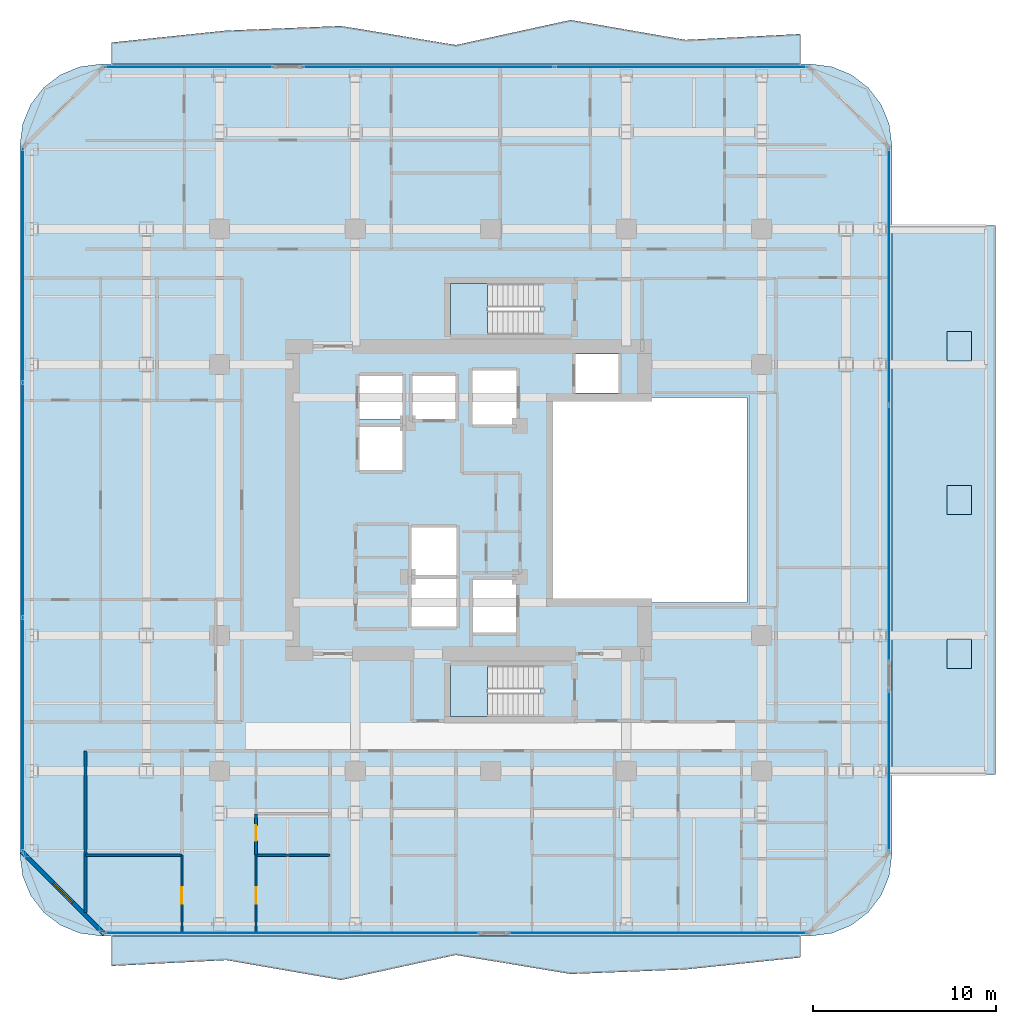
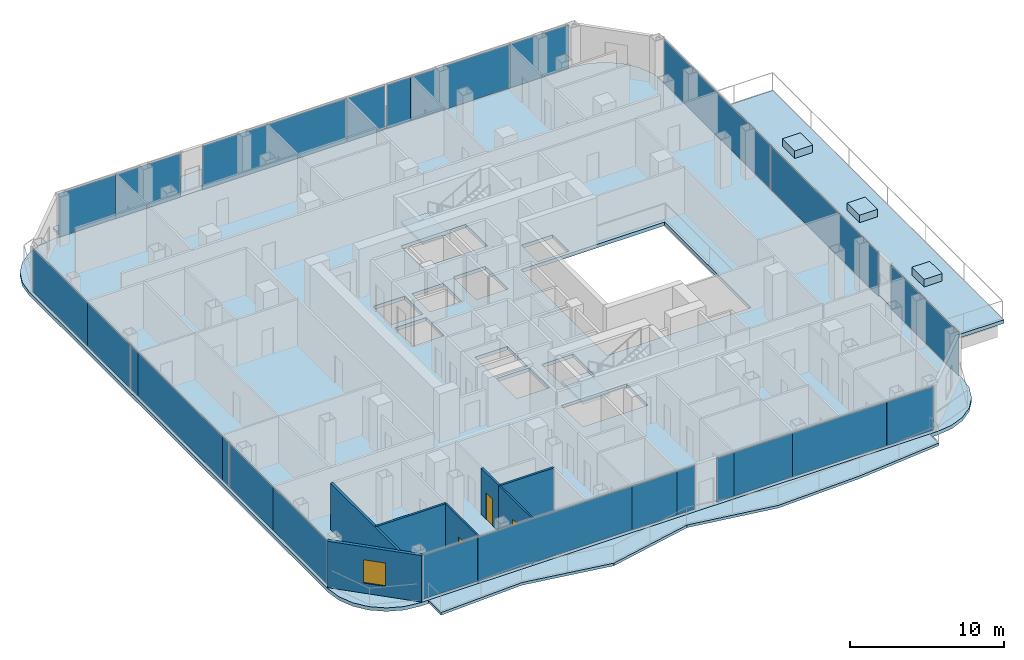
# One storey, part 18 of 27: 25 plates, 9 slabs, 7 walls, 3 doors, 1 window, 4 openings, 9 elements without a shape of their own.
"""IFC4 building model written with IfcOpenShell, lengths in metres."""

from ifc_helpers import new_model, si_unit, direction, frame, frame_2d, origin, origin_2d, place, context, subcontext, project, spatial, polyline, rectangle, outline, extrude, material, layer, layer_set, type_object, element, fill, aggregate, save


model = new_model("IFC4")

# Units and contexts
model_context = context("Model", 3, precision=1e-05, world=origin(), true_north=direction((0.0, 1.0)))
body_context = subcontext(model_context, "Body", "Model", "MODEL_VIEW")
ifc_project = project(units=[si_unit("LENGTHUNIT", "METRE"), si_unit("AREAUNIT", "SQUARE_METRE"), si_unit("VOLUMEUNIT", "CUBIC_METRE"), si_unit("PLANEANGLEUNIT", "RADIAN"), si_unit("MASSUNIT", "GRAM", prefix="KILO")], contexts=[model_context])

# Site, building, storey
site_placement = place(None, origin())
site = spatial("IfcSite", under=ifc_project, at=site_placement, CompositionType="ELEMENT")
building_placement = place(site_placement, origin())
building = spatial("IfcBuilding", under=site, at=building_placement, Name="Khorvyn Point Tower", CompositionType="ELEMENT")
storey_placement = place(building_placement, frame((0.0, 0.0, 168.0)))
storey = spatial("IfcBuildingStorey", under=building, at=storey_placement, Name="L41", CompositionType="ELEMENT", Elevation=168.0)

# Slabs
ifc_material_1 = material(Name="Concrete C35/45", Category="concrete")
ifc_layer_1 = layer(ifc_material_1, 0.239990234375)
ifc_layer_set_1 = layer_set([ifc_layer_1], Name="Concrete C35/45 Setback Terrace Roof Slab 240")
slab_type_1 = type_object("IfcSlabType", Name="Concrete C35/45 Setback Terrace Roof Slab 240", PredefinedType="ROOF", material=ifc_layer_set_1)
slab_1_placement = place(storey_placement, frame((0.0, 0.0, -0.280029296875)))
element("IfcSlab", 1, at=slab_1_placement, inside=storey, type_object=slab_type_1, Name="L41 East Jenga Setback Sky-Garden Terrace", PredefinedType="ROOF", context=body_context, shape_type="SweptSolid", body=[
    extrude(outline(polyline([(21.919921875, -15.0), (27.550048828125, -15.0), (27.550048828125, 15.0), (21.919921875, 15.0), (21.919921875, -15.0)])), origin(), (0.0, 0.0, 1.0), 0.280029296875),
])
ifc_layer_2 = layer(ifc_material_1, 0.60009765625)
ifc_layer_set_2 = layer_set([ifc_layer_2], Name="Concrete C35/45 Terrace Tree Planter 600")
slab_type_2 = type_object("IfcSlabType", Name="Concrete C35/45 Terrace Tree Planter 600", PredefinedType="USERDEFINED", material=ifc_layer_set_2)
slab_2_placement = place(storey_placement, origin())
element("IfcSlab", 2, at=slab_2_placement, inside=storey, type_object=slab_type_2, Name="L41 Sky-Terrace Structural Tree Planter 1", ObjectType="PLANTER", PredefinedType="USERDEFINED", context=body_context, shape_type="SweptSolid", body=[
    extrude(outline(polyline([(24.904541015625, -9.199951171875), (26.25439453125, -9.199951171875), (26.25439453125, -7.60009765625), (24.904541015625, -7.60009765625), (24.904541015625, -9.199951171875)])), origin(), (0.0, 0.0, 1.0), 0.60009765625),
])
slab_3_placement = place(storey_placement, origin())
element("IfcSlab", 3, at=slab_3_placement, inside=storey, type_object=slab_type_2, Name="L41 Sky-Terrace Structural Tree Planter 2", ObjectType="PLANTER", PredefinedType="USERDEFINED", context=body_context, shape_type="SweptSolid", body=[
    extrude(outline(polyline([(24.904541015625, -0.800048828125), (26.25439453125, -0.800048828125), (26.25439453125, 0.800048828125), (24.904541015625, 0.800048828125), (24.904541015625, -0.800048828125)])), origin(), (0.0, 0.0, 1.0), 0.60009765625),
])
slab_4_placement = place(storey_placement, origin())
element("IfcSlab", 4, at=slab_4_placement, inside=storey, type_object=slab_type_2, Name="L41 Sky-Terrace Structural Tree Planter 3", ObjectType="PLANTER", PredefinedType="USERDEFINED", context=body_context, shape_type="SweptSolid", body=[
    extrude(outline(polyline([(24.904541015625, 7.60009765625), (26.25439453125, 7.60009765625), (26.25439453125, 9.199951171875), (24.904541015625, 9.199951171875), (24.904541015625, 7.60009765625)])), origin(), (0.0, 0.0, 1.0), 0.60009765625),
])
ifc_material_2 = material(Name="Concrete C40/50", Category="concrete")
ifc_layer_3 = layer(ifc_material_2, 0.2099609375)
ifc_layer_set_3 = layer_set([ifc_layer_3], Name="Concrete C40/50 Rippling Balcony Slab 210")
slab_type_3 = type_object("IfcSlabType", Name="Concrete C40/50 Rippling Balcony Slab 210", PredefinedType="USERDEFINED", material=ifc_layer_set_3)
slab_5_placement = place(storey_placement, frame((0.0, 0.0, -0.2099609375)))
element("IfcSlab", 5, at=slab_5_placement, inside=storey, type_object=slab_type_3, Name="L41 North Sinusoidal Rippling Balcony", ObjectType="BALCONY", PredefinedType="USERDEFINED", context=body_context, shape_type="SweptSolid", body=[
    extrude(outline(polyline([(16.89990234375, 23.800048828125), (16.89990234375, 25.441650390625), (10.63330078125, 25.12255859375), (4.36669921875, 26.20703125), (-1.89990234375, 24.8408203125), (-8.166748046875, 25.8798828125), (-14.433349609375, 25.630859375), (-20.699951171875, 24.978759765625), (-20.699951171875, 23.800048828125), (16.89990234375, 23.800048828125)])), origin(), (0.0, 0.0, 1.0), 0.2099609375),
])
slab_6_placement = place(storey_placement, frame((0.0, 0.0, -0.2099609375)))
element("IfcSlab", 6, at=slab_6_placement, inside=storey, type_object=slab_type_3, Name="L41 South Sinusoidal Rippling Balcony", ObjectType="BALCONY", PredefinedType="USERDEFINED", context=body_context, shape_type="SweptSolid", body=[
    extrude(outline(polyline([(-20.699951171875, -23.800048828125), (-20.699951171875, -25.441650390625), (-14.433349609375, -25.12255859375), (-8.166748046875, -26.20703125), (-1.89990234375, -24.8408203125), (4.36669921875, -25.8798828125), (10.63330078125, -25.630859375), (16.89990234375, -24.978759765625), (16.89990234375, -23.800048828125), (-20.699951171875, -23.800048828125)])), origin(), (0.0, 0.0, 1.0), 0.2099609375),
])

# Stair, slab
stair_type = type_object("IfcStairType", Name="Tower Concrete C40/50 Dogleg Exit Stair", PredefinedType="HALF_TURN_STAIR", material=ifc_material_2)
stair_1_placement = place(storey_placement, origin())
stair_1 = element("IfcStair", 7, at=stair_1_placement, inside=storey, type_object=stair_type, Name="L41 Tower Smokeproof Exit Stair South", PredefinedType="HALF_TURN_STAIR")
ifc_layer_4 = layer(ifc_material_2, 0.199951171875)
ifc_layer_set_4 = layer_set([ifc_layer_4], Name="Concrete C40/50 Stair Landing Slab 200")
slab_type_4 = type_object("IfcSlabType", Name="Concrete C40/50 Stair Landing Slab 200", PredefinedType="LANDING", material=ifc_layer_set_4)
slab_7_placement = place(storey_placement, frame((0.0, 0.0, 1.75)))
slab_7 = element("IfcSlab", 8, at=slab_7_placement, type_object=slab_type_4, Name="ST-01 landing 1", PredefinedType="LANDING", context=body_context, shape_type="SweptSolid", body=[
    extrude(outline(polyline([(-0.179931640625, -9.02001953125), (-2.199951171875, -9.02001953125), (-2.199951171875, -11.820068359375), (-0.179931640625, -11.820068359375), (-0.179931640625, -9.02001953125)])), origin(), (0.0, 0.0, 1.0), 0.199951171875),
])
aggregate(stair_1, [slab_7])

stair_2_placement = place(storey_placement, origin())
stair_2 = element("IfcStair", 9, at=stair_2_placement, inside=storey, type_object=stair_type, Name="L41 Tower Smokeproof Exit Stair North", PredefinedType="HALF_TURN_STAIR")
slab_8_placement = place(storey_placement, frame((0.0, 0.0, 1.75)))
slab_8 = element("IfcSlab", 10, at=slab_8_placement, type_object=slab_type_4, Name="ST-02 landing 1", PredefinedType="LANDING", context=body_context, shape_type="SweptSolid", body=[
    extrude(outline(polyline([(-0.179931640625, 11.820068359375), (-2.199951171875, 11.820068359375), (-2.199951171875, 9.02001953125), (-0.179931640625, 9.02001953125), (-0.179931640625, 11.820068359375)])), origin(), (0.0, 0.0, 1.0), 0.199951171875),
])
aggregate(stair_2, [slab_8])

# Slab
ifc_layer_5 = layer(ifc_material_2, 0.280029296875)
ifc_layer_set_5 = layer_set([ifc_layer_5], Name="Concrete C40/50 Structural Floor Slab 280")
slab_type_5 = type_object("IfcSlabType", Name="Concrete C40/50 Structural Floor Slab 280", PredefinedType="FLOOR", material=ifc_layer_set_5)
slab_9_placement = place(storey_placement, frame((0.0, 0.0, -0.280029296875)))
element("IfcSlab", 11, at=slab_9_placement, inside=storey, type_object=slab_type_5, Name="L41 Main Structural Floor Slab", PredefinedType="FLOOR", context=body_context, shape_type="SweptSolid", body=[
    extrude(outline(polyline([(-21.300048828125, -23.800048828125), (-22.438720703125, -23.650146484375), (-23.5, -23.21044921875), (-24.411376953125, -22.51123046875), (-25.110595703125, -21.60009765625), (-25.550048828125, -20.538818359375), (-25.699951171875, -19.39990234375), (-25.699951171875, 19.39990234375), (-25.550048828125, 20.538818359375), (-25.110595703125, 21.60009765625), (-24.411376953125, 22.51123046875), (-23.5, 23.21044921875), (-22.438720703125, 23.650146484375), (-21.300048828125, 23.800048828125), (17.5, 23.800048828125), (18.638916015625, 23.650146484375), (19.699951171875, 23.21044921875), (20.611328125, 22.51123046875), (21.310546875, 21.60009765625), (21.75, 20.538818359375), (21.89990234375, 19.39990234375), (21.89990234375, -19.39990234375), (21.75, -20.538818359375), (21.310546875, -21.60009765625), (20.611328125, -22.51123046875), (19.699951171875, -23.21044921875), (18.638916015625, -23.650146484375), (17.5, -23.800048828125), (-21.300048828125, -23.800048828125)]), holes=[polyline([(-1.875, -6.89990234375), (-1.875, -4.300048828125), (-4.324951171875, -4.300048828125), (-4.324951171875, -6.89990234375), (-1.875, -6.89990234375)]), polyline([(-1.875, -4.10009765625), (-1.875, -1.5), (-4.324951171875, -1.5), (-4.324951171875, -4.10009765625), (-1.875, -4.10009765625)]), polyline([(-4.824951171875, 1.625), (-4.824951171875, 3.97509765625), (-7.175048828125, 3.97509765625), (-7.175048828125, 1.625), (-4.824951171875, 1.625)]), polyline([(-7.175048828125, 4.425048828125), (-4.824951171875, 4.425048828125), (-4.824951171875, 6.77490234375), (-7.175048828125, 6.77490234375), (-7.175048828125, 4.425048828125)]), polyline([(-4.27490234375, 4.425048828125), (-1.925048828125, 4.425048828125), (-1.925048828125, 6.77490234375), (-4.27490234375, 6.77490234375), (-4.27490234375, 4.425048828125)]), polyline([(1.39990234375, 4.125), (1.39990234375, 7.074951171875), (-1.0, 7.074951171875), (-1.0, 4.125), (1.39990234375, 4.125)]), polyline([(-2.199951171875, -11.820068359375), (2.679931640625, -11.820068359375), (2.679931640625, -9.02001953125), (-2.199951171875, -9.02001953125), (-2.199951171875, -11.820068359375)]), polyline([(-0.97509765625, -7.22509765625), (1.375, -7.22509765625), (1.375, -4.375), (-0.97509765625, -4.375), (-0.97509765625, -7.22509765625)]), polyline([(14.0, -5.60009765625), (14.0, 5.60009765625), (3.199951171875, 5.60009765625), (3.199951171875, -5.60009765625), (14.0, -5.60009765625)]), polyline([(4.625, 5.85009765625), (6.97509765625, 5.85009765625), (6.97509765625, 7.97998046875), (4.625, 7.97998046875), (4.625, 5.85009765625)]), polyline([(-2.199951171875, 9.02001953125), (2.679931640625, 9.02001953125), (2.679931640625, 11.820068359375), (-2.199951171875, 11.820068359375), (-2.199951171875, 9.02001953125)])]), origin(), (0.0, 0.0, 1.0), 0.280029296875),
])

# Curtain wall, plates
ifc_material_3 = material(Name="Anodised aluminium 6063-T6 and laminated Low-E glass", Category="aluminium")
ifc_layer_6 = layer(ifc_material_3, 0.18994140625)
ifc_layer_set_6 = layer_set([ifc_layer_6], Name="Stick-Built Acoustic Curtain Wall CW-SYS-03")
curtain_wall_type = type_object("IfcCurtainWallType", Name="Stick-Built Acoustic Curtain Wall CW-SYS-03", PredefinedType="NOTDEFINED", material=ifc_layer_set_6)
curtain_wall_1_placement = place(storey_placement, origin())
curtain_wall_1 = element("IfcCurtainWall", 12, at=curtain_wall_1_placement, inside=storey, type_object=curtain_wall_type, Name="Curtain Wall", PredefinedType="NOTDEFINED")
ifc_material_4 = material(Name="Laminated Low-E insulated glass", Category="glass")
ifc_layer_7 = layer(ifc_material_4, 0.028076171875)
ifc_layer_set_7 = layer_set([ifc_layer_7], Name="Tempered Low-E Vision Glazing Panel CW-GL28")
plate_type = type_object("IfcPlateType", Name="Tempered Low-E Vision Glazing Panel CW-GL28", PredefinedType="CURTAIN_PANEL", material=ifc_layer_set_7)
plate_1_placement = place(storey_placement, frame((1.655517578125, -23.64990234375, 0.10009765625), z_axis=(0.0, 0.0, 1.0), x_axis=(-1.0, 0.0, 0.0)))
plate_1 = element("IfcPlate", 13, at=plate_1_placement, type_object=plate_type, Name="Panel", PredefinedType="CURTAIN_PANEL", context=body_context, shape_type="SweptSolid", body=[
    extrude(rectangle(XDim=1.30908203125, YDim=0.028076171875, at=origin_2d()), origin(), (0.0, 0.0, 1.0), 3.47998046875),
])
plate_2_placement = place(storey_placement, frame((4.50390625, -23.64990234375, 0.10009765625), z_axis=(0.0, 0.0, 1.0), x_axis=(-1.0, 0.0, 0.0)))
plate_2 = element("IfcPlate", 14, at=plate_2_placement, type_object=plate_type, Name="Panel", PredefinedType="CURTAIN_PANEL", context=body_context, shape_type="SweptSolid", body=[
    extrude(rectangle(XDim=4.3720703125, YDim=0.028076171875, at=origin_2d()), origin(), (0.0, 0.0, 1.0), 3.47998046875),
])
plate_3_placement = place(storey_placement, frame((10.22412109375, -23.64990234375, 0.10009765625), z_axis=(0.0, 0.0, 1.0), x_axis=(-1.0, 0.0, 0.0)))
plate_3 = element("IfcPlate", 15, at=plate_3_placement, type_object=plate_type, Name="Panel", PredefinedType="CURTAIN_PANEL", context=body_context, shape_type="SweptSolid", body=[
    extrude(rectangle(XDim=7.052001953125, YDim=0.028076171875, at=origin_2d()), origin(), (0.0, 0.0, 1.0), 3.47998046875),
])
plate_4_placement = place(storey_placement, frame((15.501953125, -23.64990234375, 0.10009765625), z_axis=(0.0, 0.0, 1.0), x_axis=(-1.0, 0.0, 0.0)))
plate_4 = element("IfcPlate", 16, at=plate_4_placement, type_object=plate_type, Name="Panel", PredefinedType="CURTAIN_PANEL", context=body_context, shape_type="SweptSolid", body=[
    extrude(rectangle(XDim=3.488037109375, YDim=0.028076171875, at=origin_2d()), origin(), (0.0, 0.0, 1.0), 3.47998046875),
])
aggregate(curtain_wall_1, [plate_1, plate_2, plate_3, plate_4])

curtain_wall_2_placement = place(storey_placement, origin())
curtain_wall_2 = element("IfcCurtainWall", 17, at=curtain_wall_2_placement, inside=storey, type_object=curtain_wall_type, Name="Curtain Wall", PredefinedType="NOTDEFINED")
plate_5_placement = place(storey_placement, frame((-18.985107421875, -23.64990234375, 0.10009765625), z_axis=(0.0, 0.0, 1.0), x_axis=(-1.0, 0.0, 0.0)))
plate_5 = element("IfcPlate", 18, at=plate_5_placement, type_object=plate_type, Name="Panel", PredefinedType="CURTAIN_PANEL", context=body_context, shape_type="SweptSolid", body=[
    extrude(rectangle(XDim=4.1220703125, YDim=0.028076171875, at=origin_2d()), origin(), (0.0, 0.0, 1.0), 3.47998046875),
])
plate_6_placement = place(storey_placement, frame((-11.136962890625, -23.64990234375, 0.10009765625), z_axis=(0.0, 0.0, 1.0), x_axis=(-1.0, 0.0, 0.0)))
plate_6 = element("IfcPlate", 19, at=plate_6_placement, type_object=plate_type, Name="Panel", PredefinedType="CURTAIN_PANEL", context=body_context, shape_type="SweptSolid", body=[
    extrude(rectangle(XDim=11.55810546875, YDim=0.028076171875, at=origin_2d()), origin(), (0.0, 0.0, 1.0), 3.47998046875),
])
plate_7_placement = place(storey_placement, frame((-3.656982421875, -23.64990234375, 0.10009765625), z_axis=(0.0, 0.0, 1.0), x_axis=(-1.0, 0.0, 0.0)))
plate_7 = element("IfcPlate", 20, at=plate_7_placement, type_object=plate_type, Name="Panel", PredefinedType="CURTAIN_PANEL", context=body_context, shape_type="SweptSolid", body=[
    extrude(rectangle(XDim=3.385986328125, YDim=0.028076171875, at=origin_2d()), origin(), (0.0, 0.0, 1.0), 3.47998046875),
])
plate_8_placement = place(storey_placement, frame((-1.301513671875, -23.64990234375, 0.10009765625), z_axis=(0.0, 0.0, 1.0), x_axis=(-1.0, 0.0, 0.0)))
plate_8 = element("IfcPlate", 21, at=plate_8_placement, type_object=plate_type, Name="Panel", PredefinedType="CURTAIN_PANEL", context=body_context, shape_type="SweptSolid", body=[
    extrude(rectangle(XDim=1.30908203125, YDim=0.028076171875, at=origin_2d()), origin(), (0.0, 0.0, 1.0), 3.47998046875),
])
aggregate(curtain_wall_2, [plate_5, plate_6, plate_7, plate_8])

curtain_wall_3_placement = place(storey_placement, origin())
curtain_wall_3 = element("IfcCurtainWall", 22, at=curtain_wall_3_placement, inside=storey, type_object=curtain_wall_type, Name="Curtain Wall", PredefinedType="NOTDEFINED")
plate_9_placement = place(storey_placement, frame((-18.91796875, 23.64990234375, 0.10009765625), z_axis=(0.0, 0.0, 1.0), x_axis=(1.0, 0.0, 0.0)))
plate_9 = element("IfcPlate", 23, at=plate_9_placement, type_object=plate_type, Name="Panel", PredefinedType="CURTAIN_PANEL", context=body_context, shape_type="SweptSolid", body=[
    extrude(rectangle(XDim=4.256103515625, YDim=0.028076171875, at=origin_2d()), origin(), (0.0, 0.0, 1.0), 3.47998046875),
])
plate_10_placement = place(storey_placement, frame((-14.341552734375, 23.64990234375, 0.10009765625), z_axis=(0.0, 0.0, 1.0), x_axis=(1.0, 0.0, 0.0)))
plate_10 = element("IfcPlate", 24, at=plate_10_placement, type_object=plate_type, Name="Panel", PredefinedType="CURTAIN_PANEL", context=body_context, shape_type="SweptSolid", body=[
    extrude(rectangle(XDim=4.881103515625, YDim=0.028076171875, at=origin_2d()), origin(), (0.0, 0.0, 1.0), 3.47998046875),
])
aggregate(curtain_wall_3, [plate_9, plate_10])

curtain_wall_4_placement = place(storey_placement, origin())
curtain_wall_4 = element("IfcCurtainWall", 25, at=curtain_wall_4_placement, inside=storey, type_object=curtain_wall_type, Name="Curtain Wall", PredefinedType="NOTDEFINED")
plate_11_placement = place(storey_placement, frame((-4.83544921875, 23.64990234375, 0.10009765625), z_axis=(0.0, 0.0, 1.0), x_axis=(1.0, 0.0, 0.0)))
plate_11 = element("IfcPlate", 26, at=plate_11_placement, type_object=plate_type, Name="Panel", PredefinedType="CURTAIN_PANEL", context=body_context, shape_type="SweptSolid", body=[
    extrude(rectangle(XDim=10.8349609375, YDim=0.028076171875, at=origin_2d()), origin(), (0.0, 0.0, 1.0), 3.47998046875),
])
plate_12_placement = place(storey_placement, frame((2.016357421875, 23.64990234375, 0.10009765625), z_axis=(0.0, 0.0, 1.0), x_axis=(1.0, 0.0, 0.0)))
plate_12 = element("IfcPlate", 27, at=plate_12_placement, type_object=plate_type, Name="Panel", PredefinedType="CURTAIN_PANEL", context=body_context, shape_type="SweptSolid", body=[
    extrude(rectangle(XDim=2.8525390625, YDim=0.028076171875, at=origin_2d()), origin(), (0.0, 0.0, 1.0), 3.47998046875),
])
plate_13_placement = place(storey_placement, frame((4.458740234375, 23.64990234375, 0.10009765625), z_axis=(0.0, 0.0, 1.0), x_axis=(1.0, 0.0, 0.0)))
plate_13 = element("IfcPlate", 28, at=plate_13_placement, type_object=plate_type, Name="Panel", PredefinedType="CURTAIN_PANEL", context=body_context, shape_type="SweptSolid", body=[
    extrude(rectangle(XDim=1.81640625, YDim=0.028076171875, at=origin_2d()), origin(), (0.0, 0.0, 1.0), 3.47998046875),
])
plate_14_placement = place(storey_placement, frame((9.099609375, 23.64990234375, 0.10009765625), z_axis=(0.0, 0.0, 1.0), x_axis=(1.0, 0.0, 0.0)))
plate_14 = element("IfcPlate", 29, at=plate_14_placement, type_object=plate_type, Name="Panel", PredefinedType="CURTAIN_PANEL", context=body_context, shape_type="SweptSolid", body=[
    extrude(rectangle(XDim=7.448974609375, YDim=0.028076171875, at=origin_2d()), origin(), (0.0, 0.0, 1.0), 3.47998046875),
])
plate_15_placement = place(storey_placement, frame((15.0390625, 23.64990234375, 0.10009765625), z_axis=(0.0, 0.0, 1.0), x_axis=(1.0, 0.0, 0.0)))
plate_15 = element("IfcPlate", 30, at=plate_15_placement, type_object=plate_type, Name="Panel", PredefinedType="CURTAIN_PANEL", context=body_context, shape_type="SweptSolid", body=[
    extrude(rectangle(XDim=4.4140625, YDim=0.028076171875, at=origin_2d()), origin(), (0.0, 0.0, 1.0), 3.47998046875),
])
aggregate(curtain_wall_4, [plate_11, plate_12, plate_13, plate_14, plate_15])

curtain_wall_5_placement = place(storey_placement, origin())
curtain_wall_5 = element("IfcCurtainWall", 31, at=curtain_wall_5_placement, inside=storey, type_object=curtain_wall_type, Name="Curtain Wall", PredefinedType="NOTDEFINED")
plate_16_placement = place(storey_placement, frame((-25.550048828125, -15.60498046875, 0.10009765625), z_axis=(0.0, 0.0, 1.0), x_axis=(0.0, 1.0, 0.0)))
plate_16 = element("IfcPlate", 32, at=plate_16_placement, type_object=plate_type, Name="Panel", PredefinedType="CURTAIN_PANEL", context=body_context, shape_type="SweptSolid", body=[
    extrude(rectangle(XDim=7.08203125, YDim=0.028076171875, at=origin_2d()), origin(), (0.0, 0.0, 1.0), 3.47998046875),
])
plate_17_placement = place(storey_placement, frame((-25.550048828125, -9.26318359375, 0.10009765625), z_axis=(0.0, 0.0, 1.0), x_axis=(0.0, 1.0, 0.0)))
plate_17 = element("IfcPlate", 33, at=plate_17_placement, type_object=plate_type, Name="Panel", PredefinedType="CURTAIN_PANEL", context=body_context, shape_type="SweptSolid", body=[
    extrude(rectangle(XDim=5.585205078125, YDim=0.028076171875, at=origin_2d()), origin(), (0.0, 0.0, 1.0), 3.47998046875),
])
plate_18_placement = place(storey_placement, frame((-25.550048828125, -5.931396484375, 0.10009765625), z_axis=(0.0, 0.0, 1.0), x_axis=(0.0, 1.0, 0.0)))
plate_18 = element("IfcPlate", 34, at=plate_18_placement, type_object=plate_type, Name="Panel", PredefinedType="CURTAIN_PANEL", context=body_context, shape_type="SweptSolid", body=[
    extrude(rectangle(XDim=0.86279296875, YDim=0.028076171875, at=origin_2d()), origin(), (0.0, 0.0, 1.0), 3.47998046875),
])
plate_19_placement = place(storey_placement, frame((-25.550048828125, 0.0, 0.10009765625), z_axis=(0.0, 0.0, 1.0), x_axis=(0.0, 1.0, 0.0)))
plate_19 = element("IfcPlate", 35, at=plate_19_placement, type_object=plate_type, Name="Panel", PredefinedType="CURTAIN_PANEL", context=body_context, shape_type="SweptSolid", body=[
    extrude(rectangle(XDim=10.98388671875, YDim=0.028076171875, at=origin_2d()), origin(), (0.0, 0.0, 1.0), 3.47998046875),
])
plate_20_placement = place(storey_placement, frame((-25.550048828125, 5.931396484375, 0.10009765625), z_axis=(0.0, 0.0, 1.0), x_axis=(0.0, 1.0, 0.0)))
plate_20 = element("IfcPlate", 36, at=plate_20_placement, type_object=plate_type, Name="Panel", PredefinedType="CURTAIN_PANEL", context=body_context, shape_type="SweptSolid", body=[
    extrude(rectangle(XDim=0.86279296875, YDim=0.028076171875, at=origin_2d()), origin(), (0.0, 0.0, 1.0), 3.47998046875),
])
plate_21_placement = place(storey_placement, frame((-25.550048828125, 9.26318359375, 0.10009765625), z_axis=(0.0, 0.0, 1.0), x_axis=(0.0, 1.0, 0.0)))
plate_21 = element("IfcPlate", 37, at=plate_21_placement, type_object=plate_type, Name="Panel", PredefinedType="CURTAIN_PANEL", context=body_context, shape_type="SweptSolid", body=[
    extrude(rectangle(XDim=5.585205078125, YDim=0.028076171875, at=origin_2d()), origin(), (0.0, 0.0, 1.0), 3.47998046875),
])
plate_22_placement = place(storey_placement, frame((-25.550048828125, 15.60498046875, 0.10009765625), z_axis=(0.0, 0.0, 1.0), x_axis=(0.0, 1.0, 0.0)))
plate_22 = element("IfcPlate", 38, at=plate_22_placement, type_object=plate_type, Name="Panel", PredefinedType="CURTAIN_PANEL", context=body_context, shape_type="SweptSolid", body=[
    extrude(rectangle(XDim=7.08203125, YDim=0.028076171875, at=origin_2d()), origin(), (0.0, 0.0, 1.0), 3.47998046875),
])
aggregate(curtain_wall_5, [plate_16, plate_17, plate_18, plate_19, plate_20, plate_21, plate_22])

curtain_wall_6_placement = place(storey_placement, origin())
curtain_wall_6 = element("IfcCurtainWall", 39, at=curtain_wall_6_placement, inside=storey, type_object=curtain_wall_type, Name="Curtain Wall", PredefinedType="NOTDEFINED")
plate_23_placement = place(storey_placement, frame((21.75, 12.191162109375, 0.10009765625), z_axis=(0.0, 0.0, 1.0), x_axis=(0.0, -1.0, 0.0)))
plate_23 = element("IfcPlate", 40, at=plate_23_placement, type_object=plate_type, Name="Panel", PredefinedType="CURTAIN_PANEL", context=body_context, shape_type="SweptSolid", body=[
    extrude(rectangle(XDim=13.91748046875, YDim=0.028076171875, at=origin_2d()), origin(), (0.0, 0.0, 1.0), 3.47998046875),
])
plate_24_placement = place(storey_placement, frame((21.75, -1.826171875, 0.10009765625), z_axis=(0.0, 0.0, 1.0), x_axis=(0.0, -1.0, 0.0)))
plate_24 = element("IfcPlate", 41, at=plate_24_placement, type_object=plate_type, Name="Panel", PredefinedType="CURTAIN_PANEL", context=body_context, shape_type="SweptSolid", body=[
    extrude(rectangle(XDim=13.91748046875, YDim=0.028076171875, at=origin_2d()), origin(), (0.0, 0.0, 1.0), 3.47998046875),
])
aggregate(curtain_wall_6, [plate_23, plate_24])

# Curtain wall, plate
curtain_wall_7_placement = place(storey_placement, origin())
curtain_wall_7 = element("IfcCurtainWall", 42, at=curtain_wall_7_placement, inside=storey, type_object=curtain_wall_type, Name="Curtain Wall", PredefinedType="NOTDEFINED")
plate_25_placement = place(storey_placement, frame((21.75, -14.78759765625, 0.10009765625), z_axis=(0.0, 0.0, 1.0), x_axis=(0.0, -1.0, 0.0)))
plate_25 = element("IfcPlate", 43, at=plate_25_placement, type_object=plate_type, Name="Panel", PredefinedType="CURTAIN_PANEL", context=body_context, shape_type="SweptSolid", body=[
    extrude(rectangle(XDim=8.72509765625, YDim=0.028076171875, at=origin_2d()), origin(), (0.0, 0.0, 1.0), 3.47998046875),
])
aggregate(curtain_wall_7, [plate_25])

# Wall
ifc_material_5 = material(Name="Double acoustic gypsum on twin steel stud", Category="steel")
ifc_layer_8 = layer(ifc_material_5, 0.179931640625)
ifc_layer_set_8 = layer_set([ifc_layer_8], Name="Acoustic Double-Stud Apartment Demising Wall 180")
wall_type_1 = type_object("IfcWallType", Name="Acoustic Double-Stud Apartment Demising Wall 180", PredefinedType="PARTITIONING", material=ifc_layer_set_8)
wall_1_placement = place(storey_placement, frame((-22.1201171875, -22.510009765625, 0.0), z_axis=(0.0, 0.0, 1.0), x_axis=(0.0, 1.0, 0.0)))
element("IfcWall", 44, at=wall_1_placement, inside=storey, type_object=wall_type_1, Name="Wall", PredefinedType="PARTITIONING", context=body_context, shape_type="SweptSolid", body=[
    extrude(rectangle(XDim=8.81005859375, YDim=0.179931640625, at=frame_2d((4.405029296875, 0.0))), origin(), (0.0, 0.0, 1.0), 3.679931640625),
])

# Wall, opening, window
ifc_material_6 = material(Name="Pale anodised aluminium rainscreen on steel stud", Category="steel")
ifc_layer_9 = layer(ifc_material_6, 0.239990234375)
ifc_layer_set_9 = layer_set([ifc_layer_9], Name="Anodised Aluminium Insulated Corner Spandrel Wall 240")
wall_type_2 = type_object("IfcWallType", Name="Anodised Aluminium Insulated Corner Spandrel Wall 240", PredefinedType="SOLIDWALL", material=ifc_layer_set_9)
wall_2_placement = place(storey_placement, frame((-21.107666015625, -23.6923828125, 0.0), z_axis=(0.0, 0.0, 1.0), x_axis=(-0.707087534163, 0.707126027686, 0.0)))
wall_2 = element("IfcWall", 45, at=wall_2_placement, inside=storey, type_object=wall_type_2, Name="L41 Rounded Corner Wall SW", PredefinedType="SOLIDWALL", context=body_context, shape_type="SweptSolid", body=[
    extrude(rectangle(XDim=6.34228515625, YDim=0.239990234375, at=frame_2d((3.171142578125, 0.0))), origin(), (0.0, 0.0, 1.0), 3.679931640625),
])
opening_1_placement = place(wall_2_placement, frame((2.42138671875, 0.0, 0.800048828125)))
opening_1 = element("IfcOpeningElement", 46, at=opening_1_placement, cuts=wall_2, Name="Opening WN-1518", PredefinedType="OPENING", context=body_context, shape_type="SweptSolid", body=[
    extrude(rectangle(XDim=1.5, YDim=1.85009765625, at=frame_2d((0.75, 0.925048828125))), frame((0.0, 0.1298828125, 0.0), z_axis=(0.0, -1.0, 0.0), x_axis=(1.0, 0.0, 0.0)), (0.0, 0.0, 1.0), 0.260009765625),
])
window_type = type_object("IfcWindowType", Name="Anodised Aluminium Rounded-Corner Panoramic Window 1500x1850", PartitioningType="SINGLE_PANEL", PredefinedType="WINDOW", material=ifc_material_3)
window_placement = place(opening_1_placement, origin())
window = element("IfcWindow", 47, at=window_placement, inside=storey, type_object=window_type, Name="L41 Corner Panoramic Window SW", OverallHeight=1.85009765625, OverallWidth=1.5, PartitioningType="SINGLE_PANEL", PredefinedType="WINDOW", context=body_context, shape_type="SweptSolid", body=[
    extrude(rectangle(XDim=1.5, YDim=1.85009765625, at=frame_2d((0.75, 0.925048828125))), frame((0.0, 0.030029296875, 0.0), z_axis=(0.0, -1.0, 0.0), x_axis=(1.0, 0.0, 0.0)), (0.0, 0.0, 1.0), 0.06005859375),
])
fill(opening_1, window)

# Wall, opening, door
ifc_material_7 = material(Name="Gypsum plasterboard on steel stud", Category="steel")
ifc_layer_10 = layer(ifc_material_7, 0.1201171875)
ifc_layer_set_10 = layer_set([ifc_layer_10], Name="Gypsum Acoustic Stud Room Partition Wall 120")
wall_type_3 = type_object("IfcWallType", Name="Gypsum Acoustic Stud Room Partition Wall 120", PredefinedType="PARTITIONING", material=ifc_layer_set_10)
wall_3_placement = place(storey_placement, frame((-16.860107421875, -23.6298828125, 0.0), z_axis=(0.0, 0.0, 1.0), x_axis=(0.0, 1.0, 0.0)))
wall_3 = element("IfcWall", 48, at=wall_3_placement, inside=storey, type_object=wall_type_3, Name="Wall", PredefinedType="PARTITIONING", context=body_context, shape_type="SweptSolid", body=[
    extrude(rectangle(XDim=4.239990234375, YDim=0.1201171875, at=frame_2d((2.1201171875, 0.0))), origin(), (0.0, 0.0, 1.0), 3.679931640625),
])
opening_2_placement = place(wall_3_placement, frame((1.581298828125, 0.0, 0.0)))
opening_2 = element("IfcOpeningElement", 49, at=opening_2_placement, cuts=wall_3, Name="Opening ID-RM90", PredefinedType="OPENING", context=body_context, shape_type="SweptSolid", body=[
    extrude(rectangle(XDim=0.89990234375, YDim=2.10009765625, at=frame_2d((0.449951171875, 1.050048828125))), frame((0.0, 0.070068359375, 0.0), z_axis=(0.0, -1.0, 0.0), x_axis=(1.0, 0.0, 0.0)), (0.0, 0.0, 1.0), 0.14013671875),
])
ifc_material_8 = material(Name="Engineered oak veneer timber", Category="wood")
door_type_1 = type_object("IfcDoorType", Name="Flush Engineered Timber Room Door 900x2100", OperationType="NOTDEFINED", PredefinedType="DOOR", material=ifc_material_8)
door_1_placement = place(opening_2_placement, origin())
door_1 = element("IfcDoor", 50, at=door_1_placement, inside=storey, type_object=door_type_1, Name="Door", OperationType="SINGLE_SWING_RIGHT", OverallHeight=2.10009765625, OverallWidth=0.89990234375, PredefinedType="DOOR", context=body_context, shape_type="SweptSolid", body=[
    extrude(rectangle(XDim=0.89990234375, YDim=2.10009765625, at=frame_2d((0.449951171875, 1.050048828125))), frame((0.0, 0.02490234375, 0.0), z_axis=(0.0, -1.0, 0.0), x_axis=(1.0, 0.0, 0.0)), (0.0, 0.0, 1.0), 0.050048828125),
])
fill(opening_2, door_1)

wall_4_placement = place(storey_placement, frame((-12.81591796875, -23.6298828125, 0.0), z_axis=(0.0, 0.0, 1.0), x_axis=(0.0, 1.0, 0.0)))
wall_4 = element("IfcWall", 51, at=wall_4_placement, inside=storey, type_object=wall_type_3, Name="Wall", PredefinedType="PARTITIONING", context=body_context, shape_type="SweptSolid", body=[
    extrude(rectangle(XDim=4.239990234375, YDim=0.1201171875, at=frame_2d((2.1201171875, 0.0))), origin(), (0.0, 0.0, 1.0), 3.679931640625),
])
opening_3_placement = place(wall_4_placement, frame((1.581298828125, 0.0, 0.0)))
opening_3 = element("IfcOpeningElement", 52, at=opening_3_placement, cuts=wall_4, Name="Opening ID-RM90", PredefinedType="OPENING", context=body_context, shape_type="SweptSolid", body=[
    extrude(rectangle(XDim=0.89990234375, YDim=2.10009765625, at=frame_2d((0.449951171875, 1.050048828125))), frame((0.0, 0.070068359375, 0.0), z_axis=(0.0, -1.0, 0.0), x_axis=(1.0, 0.0, 0.0)), (0.0, 0.0, 1.0), 0.14013671875),
])
door_2_placement = place(opening_3_placement, origin())
door_2 = element("IfcDoor", 53, at=door_2_placement, inside=storey, type_object=door_type_1, Name="Door", OperationType="SINGLE_SWING_LEFT", OverallHeight=2.10009765625, OverallWidth=0.89990234375, PredefinedType="DOOR", context=body_context, shape_type="SweptSolid", body=[
    extrude(rectangle(XDim=0.89990234375, YDim=2.10009765625, at=frame_2d((0.449951171875, 1.050048828125))), frame((0.0, 0.02490234375, 0.0), z_axis=(0.0, -1.0, 0.0), x_axis=(1.0, 0.0, 0.0)), (0.0, 0.0, 1.0), 0.050048828125),
])
fill(opening_3, door_2)

ifc_material_9 = material(Name="Moisture-resistant gypsum and cement board", Category="gypsum")
ifc_layer_11 = layer(ifc_material_9, 0.14990234375)
ifc_layer_set_11 = layer_set([ifc_layer_11], Name="Moisture-Resistant Wet-Room Partition Wall 150")
wall_type_4 = type_object("IfcWallType", Name="Moisture-Resistant Wet-Room Partition Wall 150", PredefinedType="PARTITIONING", material=ifc_layer_set_11)
wall_5_placement = place(storey_placement, frame((-12.81591796875, -19.389892578125, 0.0), z_axis=(0.0, 0.0, 1.0), x_axis=(0.0, 1.0, 0.0)))
wall_5 = element("IfcWall", 54, at=wall_5_placement, inside=storey, type_object=wall_type_4, Name="Wall", PredefinedType="PARTITIONING", context=body_context, shape_type="SweptSolid", body=[
    extrude(rectangle(XDim=2.2529296875, YDim=0.14990234375, at=frame_2d((1.12646484375, 0.0))), origin(), (0.0, 0.0, 1.0), 3.679931640625),
])
opening_4_placement = place(wall_5_placement, frame((0.77880859375, 0.0, 0.0)))
opening_4 = element("IfcOpeningElement", 55, at=opening_4_placement, cuts=wall_5, Name="Opening ID-WC85", PredefinedType="OPENING", context=body_context, shape_type="SweptSolid", body=[
    extrude(rectangle(XDim=0.85009765625, YDim=2.10009765625, at=frame_2d((0.425048828125, 1.050048828125))), frame((0.0, 0.0849609375, 0.0), z_axis=(0.0, -1.0, 0.0), x_axis=(1.0, 0.0, 0.0)), (0.0, 0.0, 1.0), 0.169921875),
])
ifc_material_10 = material(Name="High-pressure laminate on moisture-resistant core", Category="wood")
door_type_2 = type_object("IfcDoorType", Name="Moisture-Resistant Accessible Washroom Door 850x2100", OperationType="NOTDEFINED", PredefinedType="DOOR", material=ifc_material_10)
door_3_placement = place(opening_4_placement, origin())
door_3 = element("IfcDoor", 56, at=door_3_placement, inside=storey, type_object=door_type_2, Name="Door", OperationType="SINGLE_SWING_LEFT", OverallHeight=2.10009765625, OverallWidth=0.85009765625, PredefinedType="DOOR", context=body_context, shape_type="SweptSolid", body=[
    extrude(rectangle(XDim=0.85009765625, YDim=2.10009765625, at=frame_2d((0.425048828125, 1.050048828125))), frame((0.0, 0.02490234375, 0.0), z_axis=(0.0, -1.0, 0.0), x_axis=(1.0, 0.0, 0.0)), (0.0, 0.0, 1.0), 0.050048828125),
])
fill(opening_4, door_3)

# Walls
wall_6_placement = place(storey_placement, frame((-22.1201171875, -19.389892578125, 0.0), z_axis=(0.0, 0.0, 1.0), x_axis=(1.0, 0.0, 0.0)))
element("IfcWall", 57, at=wall_6_placement, inside=storey, type_object=wall_type_4, Name="Wall", PredefinedType="PARTITIONING", context=body_context, shape_type="SweptSolid", body=[
    extrude(rectangle(XDim=5.260009765625, YDim=0.14990234375, at=frame_2d((2.6298828125, 0.0))), origin(), (0.0, 0.0, 1.0), 3.679931640625),
])
wall_7_placement = place(storey_placement, frame((-12.81591796875, -19.389892578125, 0.0), z_axis=(0.0, 0.0, 1.0), x_axis=(1.0, 0.0, 0.0)))
element("IfcWall", 58, at=wall_7_placement, inside=storey, type_object=wall_type_4, Name="Wall", PredefinedType="PARTITIONING", context=body_context, shape_type="SweptSolid", body=[
    extrude(rectangle(XDim=4.041015625, YDim=0.14990234375, at=frame_2d((2.0205078125, 0.0))), origin(), (0.0, 0.0, 1.0), 3.679931640625),
])

save(model, "model.ifc")
